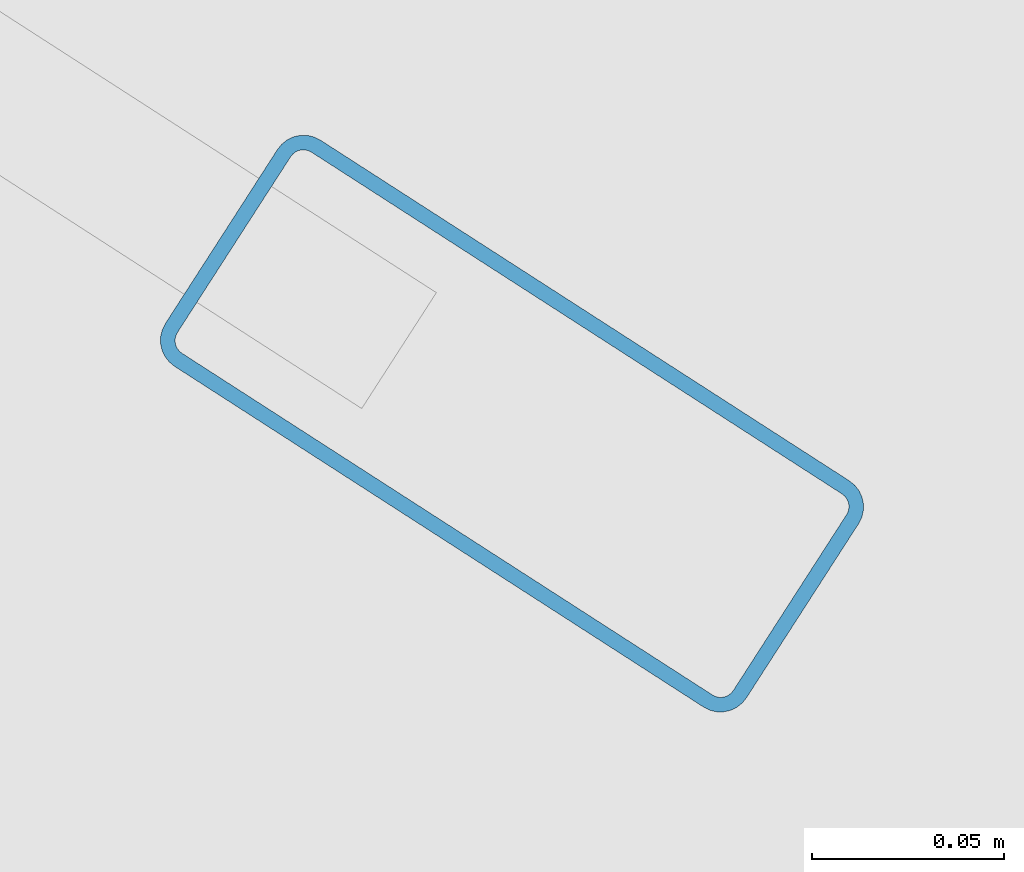
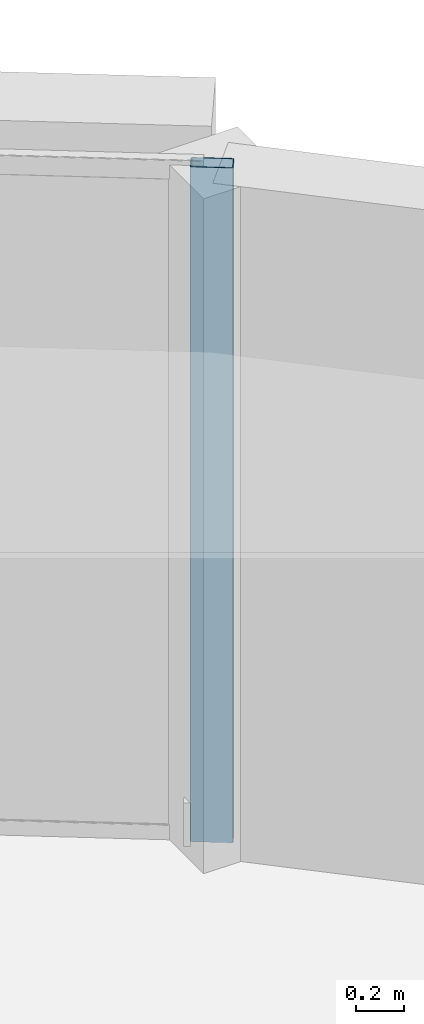
# One storey, part 5 of 14: 1 member, 1 element without a shape of its own.
"""IFC4 building model written with IfcOpenShell, lengths in metres."""

from ifc_helpers import new_model, si_unit, direction, frame, origin, origin_2d, place, context, subcontext, project, spatial, hollow_rectangle, extrude, material, layer, layer_set, material_profile, profile_set, type_object, element, aggregate, save


model = new_model("IFC4")

# Units and contexts
model_context = context("Model", 3, precision=1e-05, world=origin(), true_north=direction((0.0, 1.0)))
body_context = subcontext(model_context, "Body", "Model", "MODEL_VIEW")
ifc_project = project(units=[si_unit("LENGTHUNIT", "METRE"), si_unit("AREAUNIT", "SQUARE_METRE"), si_unit("VOLUMEUNIT", "CUBIC_METRE"), si_unit("PLANEANGLEUNIT", "RADIAN"), si_unit("MASSUNIT", "GRAM", prefix="KILO")], contexts=[model_context])

# Site, building, storey
site_placement = place(None, origin())
site = spatial("IfcSite", under=ifc_project, at=site_placement, CompositionType="ELEMENT")
building_placement = place(site_placement, origin())
building = spatial("IfcBuilding", under=site, at=building_placement, Name="An Khanh Terracotta Commons", CompositionType="ELEMENT")
storey_placement = place(building_placement, frame((0.0, 0.0, 158.199951171875)))
storey = spatial("IfcBuildingStorey", under=building, at=storey_placement, Name="L41", CompositionType="ELEMENT", Elevation=158.199951171875)

# Curtain wall, member
ifc_material = material(Name="Anodised Aluminium 6063-T6", Category="aluminium")
ifc_layer = layer(ifc_material, 0.2099609375, Name="Anodised Aluminium 6063-T6")
ifc_layer_set = layer_set([ifc_layer], Name="Anodised Aluminium 6063-T6")
curtain_wall_type = type_object("IfcCurtainWallType", Name="CW-SYS-03", PredefinedType="USERDEFINED", material=ifc_layer_set)
curtain_wall_placement = place(storey_placement, origin())
curtain_wall = element("IfcCurtainWall", 1, at=curtain_wall_placement, inside=storey, type_object=curtain_wall_type, Name="L41 CW-03 Unitised Curtain Wall CW-L41-16", ObjectType="UNITISED CURTAIN WALL", PredefinedType="USERDEFINED")
ifc_material_profile = material_profile(ifc_material, hollow_rectangle(XDim=0.070068359375, YDim=0.179931640625, WallThickness=0.00390625, InnerFilletRadius=0.00390625, OuterFilletRadius=0.008056640625, at=origin_2d()), Name="RHS180x70x4")
ifc_profile_set = profile_set([ifc_material_profile], Name="Anodised Aluminium 6063-T6")
member_type = type_object("IfcMemberType", Name="CWM-RHS180x70x4", PredefinedType="MULLION", material=ifc_profile_set)
member_placement = place(storey_placement, frame((60.448486328125, 35.843017578125, 0.0), z_axis=(0.0, 0.0, 1.0), x_axis=(-0.541497931062, -0.840702081986, 0.0)))
member = element("IfcMember", 2, at=member_placement, type_object=member_type, Name="CW-03 mullion 1", PredefinedType="MULLION", context=body_context, shape_type="SweptSolid", body=[
    extrude(hollow_rectangle(XDim=0.070068359375, YDim=0.179931640625, WallThickness=0.00390625, InnerFilletRadius=0.00390625, OuterFilletRadius=0.008056640625, at=origin_2d()), origin(), (0.0, 0.0, 1.0), 3.400146484375),
])
aggregate(curtain_wall, [member])

save(model, "model.ifc")
